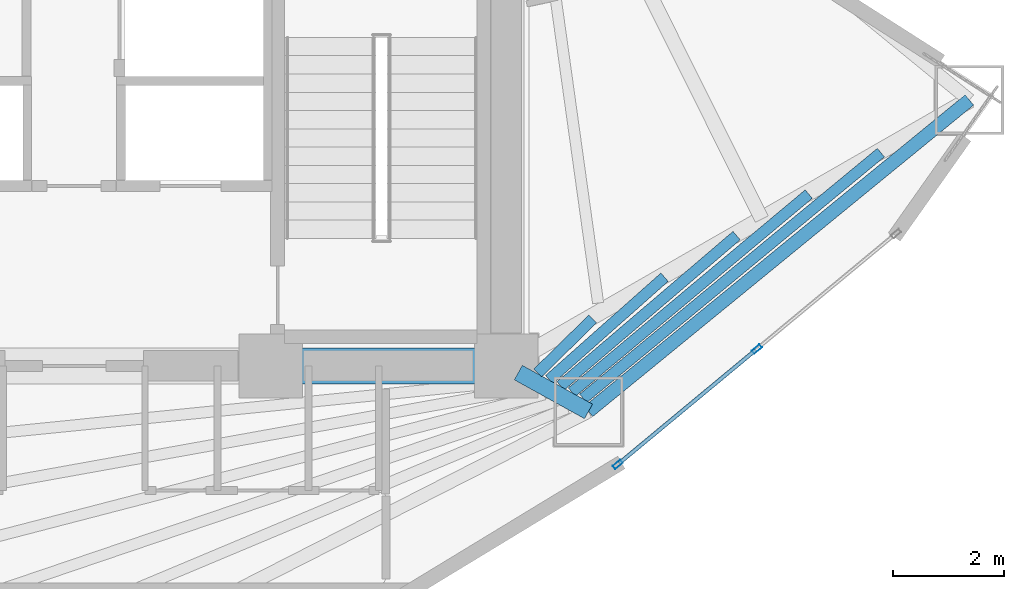
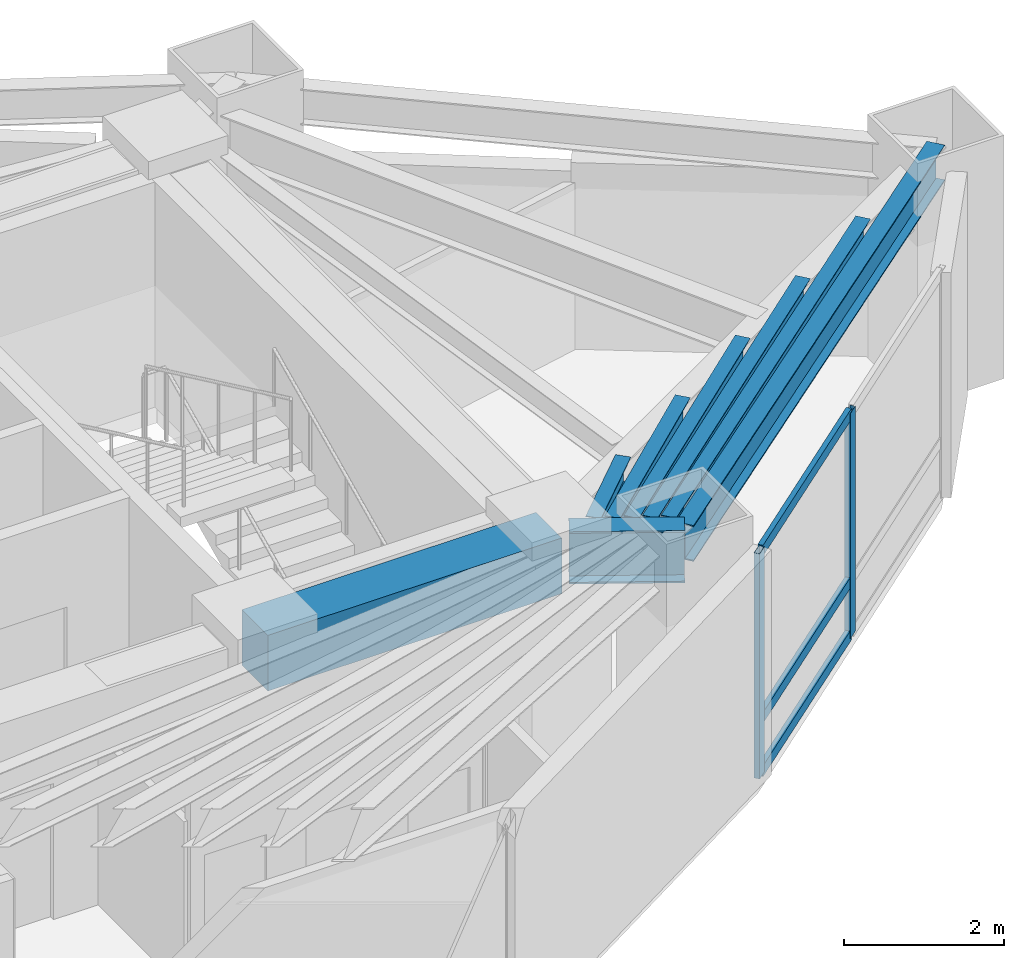
# One storey, part 16 of 25: 8 beams, 5 members, 1 element without a shape of its own.
"""IFC4 building model written with IfcOpenShell, lengths in metres."""

from ifc_helpers import new_model, si_unit, direction, frame, origin, origin_2d, place, context, subcontext, project, spatial, rectangle, hollow_rectangle, i_section, extrude, material, layer, layer_set, material_profile, profile_set, type_object, element, aggregate, save


model = new_model("IFC4")

# Units and contexts
model_context = context("Model", 3, precision=1e-05, world=origin(), true_north=direction((0.0, 1.0)))
body_context = subcontext(model_context, "Body", "Model", "MODEL_VIEW")
ifc_project = project(units=[si_unit("LENGTHUNIT", "METRE"), si_unit("AREAUNIT", "SQUARE_METRE"), si_unit("VOLUMEUNIT", "CUBIC_METRE"), si_unit("PLANEANGLEUNIT", "RADIAN"), si_unit("MASSUNIT", "GRAM", prefix="KILO")], contexts=[model_context])

# Site, building, storey
site_placement = place(None, origin())
site = spatial("IfcSite", under=ifc_project, at=site_placement, CompositionType="ELEMENT")
building_placement = place(site_placement, origin())
building = spatial("IfcBuilding", under=site, at=building_placement, Name="Menara Vayukalpa", CompositionType="ELEMENT")
storey_placement = place(building_placement, frame((0.0, 0.0, 115.139892578125)))
storey = spatial("IfcBuildingStorey", under=building, at=storey_placement, Name="L28", CompositionType="ELEMENT", Elevation=115.139892578125)

# Beams
ifc_material_1 = material(Name="Concrete C60/75", Category="concrete")
ifc_material_profile_1 = material_profile(ifc_material_1, rectangle(XDim=0.64990234375, YDim=0.85009765625, at=origin_2d()), Name="RC 650x850")
ifc_profile_set_1 = profile_set([ifc_material_profile_1], Name="Concrete C60/75")
beam_type_1 = type_object("IfcBeamType", Name="BM-CB1", PredefinedType="BEAM", material=ifc_profile_set_1)
beam_1_placement = place(storey_placement, frame((29.14990234375, 17.199951171875, 3.01513671875), z_axis=(1.0, 0.0, 0.0), x_axis=(0.0, 1.0, 0.0)))
element("IfcBeam", 1, at=beam_1_placement, inside=storey, type_object=beam_type_1, Name="L28 Core Tie Beam CBR3", PredefinedType="BEAM", context=body_context, shape_type="SweptSolid", body=[
    extrude(rectangle(XDim=0.64990234375, YDim=0.85009765625, at=origin_2d()), origin(), (0.0, 0.0, 1.0), 4.25),
])
ifc_material_2 = material(Name="Steel S355", Category="steel")
ifc_material_profile_2 = material_profile(ifc_material_2, i_section(OverallWidth=0.300048828125, OverallDepth=0.800048828125, WebThickness=0.013916015625, FlangeThickness=0.02587890625, at=origin_2d()), Name="WF 800x300x14x26")
ifc_profile_set_2 = profile_set([ifc_material_profile_2], Name="Steel S355")
beam_type_2 = type_object("IfcBeamType", Name="BM-PG3", PredefinedType="BEAM", material=ifc_profile_set_2)
beam_2_placement = place(storey_placement, frame((33.618896484375, 17.0791015625, 3.0400390625), z_axis=(0.875228391676, -0.48370989488, 0.0), x_axis=(0.48370989488, 0.875228391676, 0.0)))
element("IfcBeam", 2, at=beam_2_placement, inside=storey, type_object=beam_type_2, Name="L28 Primary Radial Girder RG09", PredefinedType="BEAM", context=body_context, shape_type="SweptSolid", body=[
    extrude(i_section(OverallWidth=0.300048828125, OverallDepth=0.800048828125, WebThickness=0.013916015625, FlangeThickness=0.02587890625, at=origin_2d()), origin(), (0.0, 0.0, 1.0), 1.448486328125),
])
ifc_material_3 = material(Name="Steel S355", Category="steel")
ifc_material_profile_3 = material_profile(ifc_material_3, i_section(OverallWidth=0.199951171875, OverallDepth=0.39990234375, WebThickness=0.008056640625, FlangeThickness=0.012939453125, at=origin_2d()), Name="WF 400x200x8x13")
ifc_profile_set_3 = profile_set([ifc_material_profile_3], Name="Steel S355")
beam_type_3 = type_object("IfcBeamType", Name="BM-SJ2", PredefinedType="JOIST", material=ifc_profile_set_3)
beam_3_placement = place(storey_placement, frame((33.968505859375, 17.072021484375, 3.239990234375), z_axis=(0.713567159094, 0.700586832208, 0.0), x_axis=(-0.700586832208, 0.713567159094, 0.0)))
element("IfcBeam", 3, at=beam_3_placement, inside=storey, type_object=beam_type_3, Name="L28 Secondary Floor Joist SJ09-1", PredefinedType="JOIST", context=body_context, shape_type="SweptSolid", body=[
    extrude(i_section(OverallWidth=0.199951171875, OverallDepth=0.39990234375, WebThickness=0.008056640625, FlangeThickness=0.012939453125, at=origin_2d()), origin(), (0.0, 0.0, 1.0), 1.391845703125),
])
beam_4_placement = place(storey_placement, frame((34.177001953125, 16.95361328125, 3.239990234375), z_axis=(0.747951028434, 0.663753914539, 0.0), x_axis=(-0.663753914539, 0.747951028434, 0.0)))
element("IfcBeam", 4, at=beam_4_placement, inside=storey, type_object=beam_type_3, Name="L28 Secondary Floor Joist SJ09-2", PredefinedType="JOIST", context=body_context, shape_type="SweptSolid", body=[
    extrude(i_section(OverallWidth=0.199951171875, OverallDepth=0.39990234375, WebThickness=0.008056640625, FlangeThickness=0.012939453125, at=origin_2d()), origin(), (0.0, 0.0, 1.0), 2.78369140625),
])
beam_5_placement = place(storey_placement, frame((34.382080078125, 16.839111328125, 3.239990234375), z_axis=(0.760566613353, 0.649259906858, 0.0), x_axis=(-0.649259906858, 0.760566613353, 0.0)))
element("IfcBeam", 5, at=beam_5_placement, inside=storey, type_object=beam_type_3, Name="L28 Secondary Floor Joist SJ09-3", PredefinedType="JOIST", context=body_context, shape_type="SweptSolid", body=[
    extrude(i_section(OverallWidth=0.199951171875, OverallDepth=0.39990234375, WebThickness=0.008056640625, FlangeThickness=0.012939453125, at=origin_2d()), origin(), (0.0, 0.0, 1.0), 4.178466796875),
])
beam_6_placement = place(storey_placement, frame((34.586181640625, 16.7255859375, 3.239990234375), z_axis=(0.767139570374, 0.64148022539, 0.0), x_axis=(-0.64148022539, 0.767139570374, 0.0)))
element("IfcBeam", 6, at=beam_6_placement, inside=storey, type_object=beam_type_3, Name="L28 Secondary Floor Joist SJ09-4", PredefinedType="JOIST", context=body_context, shape_type="SweptSolid", body=[
    extrude(i_section(OverallWidth=0.199951171875, OverallDepth=0.39990234375, WebThickness=0.008056640625, FlangeThickness=0.012939453125, at=origin_2d()), origin(), (0.0, 0.0, 1.0), 5.57421875),
])
beam_7_placement = place(storey_placement, frame((34.789794921875, 16.61279296875, 3.239990234375), z_axis=(0.771153144941, 0.636649689428, 0.0), x_axis=(-0.636649689428, 0.771153144941, 0.0)))
element("IfcBeam", 7, at=beam_7_placement, inside=storey, type_object=beam_type_3, Name="L28 Secondary Floor Joist SJ09-5", PredefinedType="JOIST", context=body_context, shape_type="SweptSolid", body=[
    extrude(i_section(OverallWidth=0.199951171875, OverallDepth=0.39990234375, WebThickness=0.008056640625, FlangeThickness=0.012939453125, at=origin_2d()), origin(), (0.0, 0.0, 1.0), 6.969970703125),
])
ifc_material_4 = material(Name="Steel S355", Category="steel")
ifc_material_profile_4 = material_profile(ifc_material_4, i_section(OverallWidth=0.239990234375, OverallDepth=0.550048828125, WebThickness=0.010986328125, FlangeThickness=0.01904296875, at=origin_2d()), Name="WF 550x240x11x19")
ifc_profile_set_4 = profile_set([ifc_material_profile_4], Name="Steel S355")
beam_type_4 = type_object("IfcBeamType", Name="BM-SP2", PredefinedType="SPANDREL", material=ifc_profile_set_4)
beam_8_placement = place(storey_placement, frame((34.88671875, 16.37841796875, 3.1650390625), z_axis=(0.774156906301, 0.632993747541, 0.0), x_axis=(-0.632993747541, 0.774156906301, 0.0)))
element("IfcBeam", 8, at=beam_8_placement, inside=storey, type_object=beam_type_4, Name="L28 Perimeter Spandrel Beam SP09", PredefinedType="SPANDREL", context=body_context, shape_type="SweptSolid", body=[
    extrude(i_section(OverallWidth=0.239990234375, OverallDepth=0.550048828125, WebThickness=0.010986328125, FlangeThickness=0.01904296875, at=origin_2d()), origin(), (0.0, 0.0, 1.0), 8.880859375),
])

# Curtain wall, members
ifc_material_5 = material(Name="Anodised Terracotta Aluminium Alloy 6063-T6", Category="masonry")
ifc_layer = layer(ifc_material_5, 0.179931640625)
ifc_layer_set = layer_set([ifc_layer], Name="Anodised Terracotta Aluminium Alloy 6063-T6")
curtain_wall_type = type_object("IfcCurtainWallType", Name="CW-CW4", PredefinedType="USERDEFINED", material=ifc_layer_set)
curtain_wall_placement = place(storey_placement, origin())
curtain_wall = element("IfcCurtainWall", 9, at=curtain_wall_placement, inside=storey, type_object=curtain_wall_type, Name="L28 Sky Bar Cantilever Glazed Curtain Wall CW4 19", ObjectType="UNITISED", PredefinedType="USERDEFINED")
ifc_material_6 = material(Name="Anodised Terracotta Aluminium Alloy 6063-T6", Category="masonry")
ifc_material_profile_5 = material_profile(ifc_material_6, hollow_rectangle(XDim=0.074951171875, YDim=0.179931640625, WallThickness=0.00390625, at=origin_2d()), Name="ALU 75x180x4")
ifc_profile_set_5 = profile_set([ifc_material_profile_5], Name="Anodised Terracotta Aluminium Alloy 6063-T6")
member_type_1 = type_object("IfcMemberType", Name="CWM-CW4", PredefinedType="MULLION", material=ifc_profile_set_5)
member_1_placement = place(storey_placement, frame((35.414794921875, 15.422119140625, 0.0), z_axis=(0.0, 0.0, 1.0), x_axis=(-0.638345501574, 0.769749972797, 0.0)))
member_1 = element("IfcMember", 10, at=member_1_placement, type_object=member_type_1, Name="CW4 mullion 1", PredefinedType="MULLION", context=body_context, shape_type="SweptSolid", body=[
    extrude(hollow_rectangle(XDim=0.074951171875, YDim=0.179931640625, WallThickness=0.00390625, at=origin_2d()), origin(), (0.0, 0.0, 1.0), 3.440185546875),
])
member_2_placement = place(storey_placement, frame((37.9267578125, 17.505126953125, 0.0), z_axis=(0.0, 0.0, 1.0), x_axis=(-0.638345501574, 0.769749972797, 0.0)))
member_2 = element("IfcMember", 11, at=member_2_placement, type_object=member_type_1, Name="CW4 mullion 2", PredefinedType="MULLION", context=body_context, shape_type="SweptSolid", body=[
    extrude(hollow_rectangle(XDim=0.074951171875, YDim=0.179931640625, WallThickness=0.00390625, at=origin_2d()), origin(), (0.0, 0.0, 1.0), 3.440185546875),
])
ifc_material_7 = material(Name="Anodised Terracotta Aluminium Alloy 6063-T6", Category="masonry")
ifc_material_profile_6 = material_profile(ifc_material_7, hollow_rectangle(XDim=0.070068359375, YDim=0.1650390625, WallThickness=0.00390625, at=origin_2d()), Name="ALU 70x165x4")
ifc_profile_set_6 = profile_set([ifc_material_profile_6], Name="Anodised Terracotta Aluminium Alloy 6063-T6")
member_type_2 = type_object("IfcMemberType", Name="CWT-CW4", PredefinedType="USERDEFINED", material=ifc_profile_set_6)
member_3_placement = place(storey_placement, frame((35.44384765625, 15.446044921875, 0.03515625), z_axis=(0.769750618465, 0.638344722993, 0.0), x_axis=(-0.638344722993, 0.769750618465, 0.0)))
member_3 = element("IfcMember", 12, at=member_3_placement, type_object=member_type_2, Name="CW4 transom 1.1", ObjectType="TRANSOM", PredefinedType="USERDEFINED", context=body_context, shape_type="SweptSolid", body=[
    extrude(hollow_rectangle(XDim=0.070068359375, YDim=0.1650390625, WallThickness=0.00390625, at=origin_2d()), origin(), (0.0, 0.0, 1.0), 3.188232421875),
])
member_4_placement = place(storey_placement, frame((35.44384765625, 15.446044921875, 0.85009765625), z_axis=(0.769750618465, 0.638344722993, 0.0), x_axis=(-0.638344722993, 0.769750618465, 0.0)))
member_4 = element("IfcMember", 13, at=member_4_placement, type_object=member_type_2, Name="CW4 transom 1.2", ObjectType="TRANSOM", PredefinedType="USERDEFINED", context=body_context, shape_type="SweptSolid", body=[
    extrude(hollow_rectangle(XDim=0.070068359375, YDim=0.1650390625, WallThickness=0.00390625, at=origin_2d()), origin(), (0.0, 0.0, 1.0), 3.188232421875),
])
member_5_placement = place(storey_placement, frame((35.44384765625, 15.446044921875, 3.405029296875), z_axis=(0.769750618465, 0.638344722993, 0.0), x_axis=(-0.638344722993, 0.769750618465, 0.0)))
member_5 = element("IfcMember", 14, at=member_5_placement, type_object=member_type_2, Name="CW4 transom 1.3", ObjectType="TRANSOM", PredefinedType="USERDEFINED", context=body_context, shape_type="SweptSolid", body=[
    extrude(hollow_rectangle(XDim=0.070068359375, YDim=0.1650390625, WallThickness=0.00390625, at=origin_2d()), origin(), (0.0, 0.0, 1.0), 3.188232421875),
])
aggregate(curtain_wall, [member_1, member_2, member_3, member_4, member_5])

save(model, "model.ifc")
